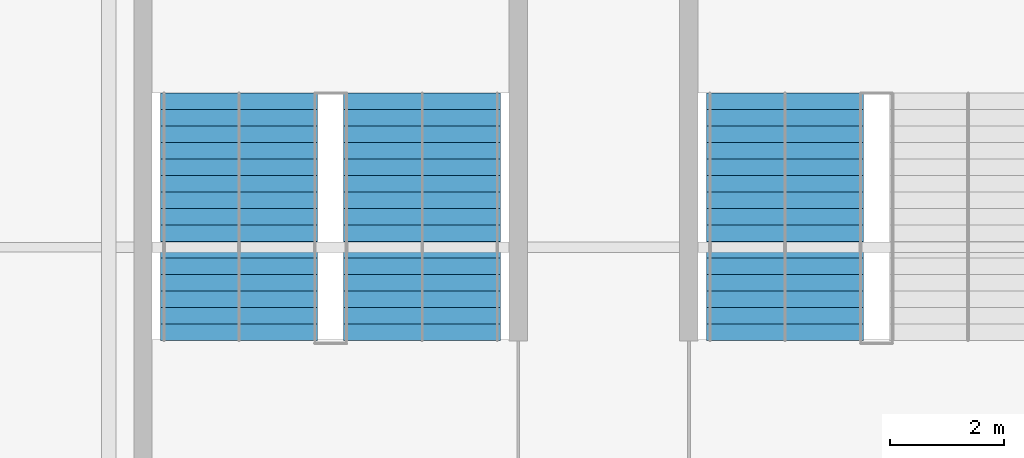
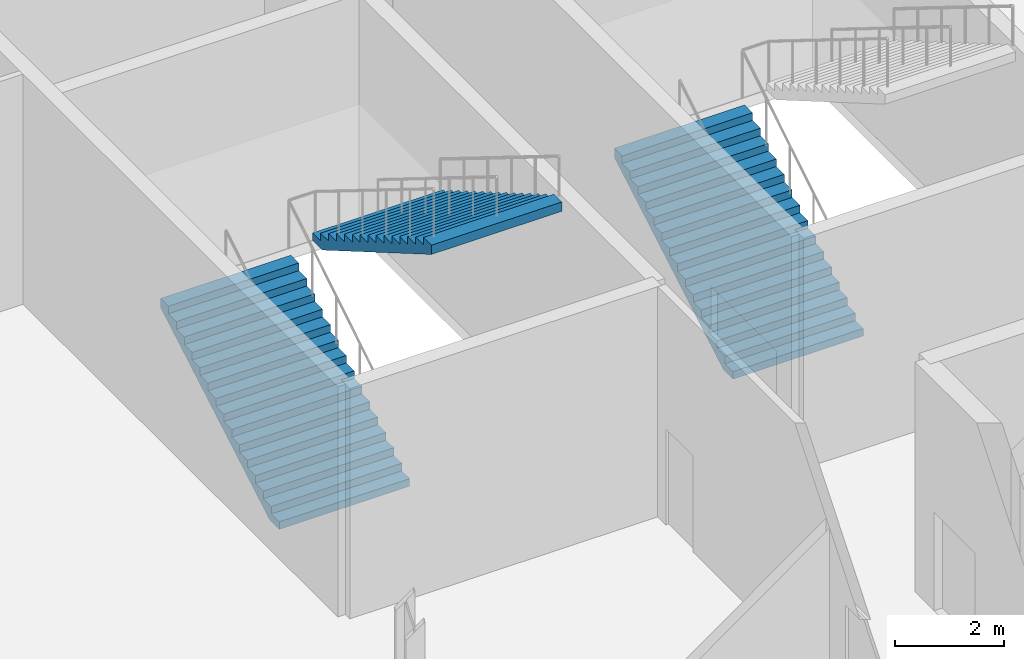
# One storey, part 91 of 111: 3 stair flights, 2 elements without a shape of their own.
"""IFC4 building model written with IfcOpenShell, lengths in metres."""

from ifc_helpers import new_model, si_unit, direction, frame, origin, place, context, subcontext, project, spatial, polygons, material, type_object, element, aggregate, save


model = new_model("IFC4")

# Units and contexts
model_context = context("Model", 3, precision=1e-05, world=origin(), true_north=direction((0.0, 1.0)))
body_context = subcontext(model_context, "Body", "Model", "MODEL_VIEW")
ifc_project = project(units=[si_unit("LENGTHUNIT", "METRE"), si_unit("AREAUNIT", "SQUARE_METRE"), si_unit("VOLUMEUNIT", "CUBIC_METRE"), si_unit("PLANEANGLEUNIT", "RADIAN"), si_unit("MASSUNIT", "GRAM", prefix="KILO")], contexts=[model_context])

# Site, building, storey
site_placement = place(None, origin())
site = spatial("IfcSite", under=ifc_project, at=site_placement, CompositionType="ELEMENT")
building_placement = place(site_placement, origin())
building = spatial("IfcBuilding", under=site, at=building_placement, Name="Kisiwana Market Hall", CompositionType="ELEMENT")
storey_placement = place(building_placement, frame((0.0, 0.0, 11.39990234375)))
storey = spatial("IfcBuildingStorey", under=building, at=storey_placement, Name="L02", CompositionType="ELEMENT", Elevation=11.39990234375)

# Stair, stair flight
ifc_material_1 = material(Name="Concrete C32/40", Category="concrete")
stair_type = type_object("IfcStairType", Name="ST-ESC-5400", PredefinedType="TWO_STRAIGHT_RUN_STAIR", material=ifc_material_1)
stair_1_placement = place(storey_placement, origin())
stair_1 = element("IfcStair", 1, at=stair_1_placement, inside=storey, type_object=stair_type, Name="Escape stair ST-E3-L02", PredefinedType="TWO_STRAIGHT_RUN_STAIR")
ifc_material_2 = material(Name="Concrete C32/40", Category="concrete")
stair_flight_type = type_object("IfcStairFlightType", Name="SF-ESC-5400", PredefinedType="STRAIGHT", material=ifc_material_2)
stair_flight_1_placement = place(storey_placement, frame((182.889892578125, 42.360107421875, 0.0), z_axis=(0.0, 0.0, 1.0), x_axis=(0.0, 1.0, 0.0)))
stair_flight_1 = element("IfcStairFlight", 2, at=stair_flight_1_placement, type_object=stair_flight_type, Name="ST-E3-L02 flight 1", NumberOfRisers=16, NumberOfTreads=15, PredefinedType="STRAIGHT", RiserHeight=0.16875, TreadLength=0.29, context=body_context, shape_type="Tessellation", body=[
    polygons([(0.0, -1.380127, 0.0), (0.0, -0.690125, 0.0), (0.0, -0.000122, 0.0), (0.0, 0.68988, 0.0), (0.0, 1.379883, 0.0), (0.0, -1.380127, 0.168701), (0.0, -0.690125, 0.168701), (0.0, -0.000122, 0.168701), (0.0, 0.68988, 0.168701), (0.0, 1.379883, 0.168701), (0.290039, -1.380127, 0.168701), (0.290039, -0.690125, 0.168701), (0.290039, -0.000122, 0.168701), (0.290039, 0.68988, 0.168701), (0.290039, 1.379883, 0.168701), (0.290039, -1.380127, 0.337402), (0.290039, -0.690125, 0.337402), (0.290039, -0.000122, 0.337402), (0.290039, 0.68988, 0.337402), (0.290039, 1.379883, 0.337402), (0.580078, -1.380127, 0.337402), (0.580078, -0.690125, 0.337402), (0.580078, -0.000122, 0.337402), (0.580078, 0.68988, 0.337402), (0.580078, 1.379883, 0.337402), (0.580078, -1.380127, 0.506348), (0.580078, -0.690125, 0.506348), (0.580078, -0.000122, 0.506348), (0.580078, 0.68988, 0.506348), (0.580078, 1.379883, 0.506348), (0.870117, -1.380127, 0.506348), (0.870117, -0.690125, 0.506348), (0.870117, -0.000122, 0.506348), (0.870117, 0.68988, 0.506348), (0.870117, 1.379883, 0.506348), (0.870117, -1.380127, 0.675049), (0.870117, -0.690125, 0.675049), (0.870117, -0.000122, 0.675049), (0.870117, 0.68988, 0.675049), (0.870117, 1.379883, 0.675049), (1.159912, -1.380127, 0.675049), (1.159912, -0.690125, 0.675049), (1.159912, -0.000122, 0.675049), (1.159912, 0.68988, 0.675049), (1.159912, 1.379883, 0.675049), (1.159912, -1.380127, 0.84375), (1.159912, -0.690125, 0.84375), (1.159912, -0.000122, 0.84375), (1.159912, 0.68988, 0.84375), (1.159912, 1.379883, 0.84375), (1.449951, -1.380127, 0.84375), (1.449951, -0.690125, 0.84375), (1.449951, -0.000122, 0.84375), (1.449951, 0.68988, 0.84375), (1.449951, 1.379883, 0.84375), (1.449951, -1.380127, 1.012451), (1.449951, -0.690125, 1.012451), (1.449951, -0.000122, 1.012451), (1.449951, 0.68988, 1.012451), (1.449951, 1.379883, 1.012451), (1.73999, -1.380127, 1.012451), (1.73999, -0.690125, 1.012451), (1.73999, -0.000122, 1.012451), (1.73999, 0.68988, 1.012451), (1.73999, 1.379883, 1.012451), (1.73999, -1.380127, 1.181152), (1.73999, -0.690125, 1.181152), (1.73999, -0.000122, 1.181152), (1.73999, 0.68988, 1.181152), (1.73999, 1.379883, 1.181152), (2.030029, -1.380127, 1.181152), (2.030029, -0.690125, 1.181152), (2.030029, -0.000122, 1.181152), (2.030029, 0.68988, 1.181152), (2.030029, 1.379883, 1.181152), (2.030029, -1.380127, 1.350098), (2.030029, -0.690125, 1.350098), (2.030029, -0.000122, 1.350098), (2.030029, 0.68988, 1.350098), (2.030029, 1.379883, 1.350098), (2.320068, -1.380127, 1.350098), (2.320068, -0.690125, 1.350098), (2.320068, -0.000122, 1.350098), (2.320068, 0.68988, 1.350098), (2.320068, 1.379883, 1.350098), (2.320068, -1.380127, 1.518799), (2.320068, -0.690125, 1.518799), (2.320068, -0.000122, 1.518799), (2.320068, 0.68988, 1.518799), (2.320068, 1.379883, 1.518799), (2.610107, -1.380127, 1.518799), (2.610107, -0.690125, 1.518799), (2.610107, -0.000122, 1.518799), (2.610107, 0.68988, 1.518799), (2.610107, 1.379883, 1.518799), (2.610107, -1.380127, 1.6875), (2.610107, -0.690125, 1.6875), (2.610107, -0.000122, 1.6875), (2.610107, 0.68988, 1.6875), (2.610107, 1.379883, 1.6875), (2.899902, -1.380127, 1.6875), (2.899902, -0.690125, 1.6875), (2.899902, -0.000122, 1.6875), (2.899902, 0.68988, 1.6875), (2.899902, 1.379883, 1.6875), (2.899902, -1.380127, 1.856201), (2.899902, -0.690125, 1.856201), (2.899902, -0.000122, 1.856201), (2.899902, 0.68988, 1.856201), (2.899902, 1.379883, 1.856201), (3.189941, -1.380127, 1.856201), (3.189941, -0.690125, 1.856201), (3.189941, -0.000122, 1.856201), (3.189941, 0.68988, 1.856201), (3.189941, 1.379883, 1.856201), (3.189941, -1.380127, 2.024902), (3.189941, -0.690125, 2.024902), (3.189941, -0.000122, 2.024902), (3.189941, 0.68988, 2.024902), (3.189941, 1.379883, 2.024902), (3.47998, -1.380127, 2.024902), (3.47998, -0.690125, 2.024902), (3.47998, -0.000122, 2.024902), (3.47998, 0.68988, 2.024902), (3.47998, 1.379883, 2.024902), (3.47998, -1.380127, 2.193848), (3.47998, -0.690125, 2.193848), (3.47998, -0.000122, 2.193848), (3.47998, 0.68988, 2.193848), (3.47998, 1.379883, 2.193848), (3.77002, -1.380127, 2.193848), (3.77002, -0.690125, 2.193848), (3.77002, -0.000122, 2.193848), (3.77002, 0.68988, 2.193848), (3.77002, 1.379883, 2.193848), (3.77002, -1.380127, 2.362549), (3.77002, -0.690125, 2.362549), (3.77002, -0.000122, 2.362549), (3.77002, 0.68988, 2.362549), (3.77002, 1.379883, 2.362549), (4.060059, -1.380127, 2.362549), (4.060059, -0.690125, 2.362549), (4.060059, -0.000122, 2.362549), (4.060059, 0.68988, 2.362549), (4.060059, 1.379883, 2.362549), (4.060059, -1.380127, 2.53125), (4.060059, -0.690125, 2.53125), (4.060059, -0.000122, 2.53125), (4.060059, 0.68988, 2.53125), (4.060059, 1.379883, 2.53125), (4.350098, -1.380127, 2.53125), (4.350098, -0.690125, 2.53125), (4.350098, -0.000122, 2.53125), (4.350098, 0.68988, 2.53125), (4.350098, 1.379883, 2.53125), (4.350098, -1.380127, 2.322998), (4.350098, -0.690125, 2.322998), (4.350098, -0.000122, 2.322998), (4.350098, 0.68988, 2.322998), (4.350098, 1.379883, 2.322998), (0.357666, -1.380127, 0.0), (0.357666, -0.690125, 0.0), (0.357666, -0.000122, 0.0), (0.357666, 0.68988, 0.0), (0.357666, 1.379883, 0.0)], [[[1, 6, 7, 2]], [[2, 7, 8, 3]], [[3, 8, 9, 4]], [[4, 9, 10, 5]], [[6, 11, 12, 7]], [[7, 12, 13, 8]], [[8, 13, 14, 9]], [[9, 14, 15, 10]], [[11, 16, 17, 12]], [[12, 17, 18, 13]], [[13, 18, 19, 14]], [[14, 19, 20, 15]], [[16, 21, 22, 17]], [[17, 22, 23, 18]], [[18, 23, 24, 19]], [[19, 24, 25, 20]], [[21, 26, 27, 22]], [[22, 27, 28, 23]], [[23, 28, 29, 24]], [[24, 29, 30, 25]], [[26, 31, 32, 27]], [[27, 32, 33, 28]], [[28, 33, 34, 29]], [[29, 34, 35, 30]], [[31, 36, 37, 32]], [[32, 37, 38, 33]], [[33, 38, 39, 34]], [[34, 39, 40, 35]], [[36, 41, 42, 37]], [[37, 42, 43, 38]], [[38, 43, 44, 39]], [[39, 44, 45, 40]], [[41, 46, 47, 42]], [[42, 47, 48, 43]], [[43, 48, 49, 44]], [[44, 49, 50, 45]], [[46, 51, 52, 47]], [[47, 52, 53, 48]], [[48, 53, 54, 49]], [[49, 54, 55, 50]], [[51, 56, 57, 52]], [[52, 57, 58, 53]], [[53, 58, 59, 54]], [[54, 59, 60, 55]], [[56, 61, 62, 57]], [[57, 62, 63, 58]], [[58, 63, 64, 59]], [[59, 64, 65, 60]], [[61, 66, 67, 62]], [[62, 67, 68, 63]], [[63, 68, 69, 64]], [[64, 69, 70, 65]], [[66, 71, 72, 67]], [[67, 72, 73, 68]], [[68, 73, 74, 69]], [[69, 74, 75, 70]], [[71, 76, 77, 72]], [[72, 77, 78, 73]], [[73, 78, 79, 74]], [[74, 79, 80, 75]], [[76, 81, 82, 77]], [[77, 82, 83, 78]], [[78, 83, 84, 79]], [[79, 84, 85, 80]], [[81, 86, 87, 82]], [[82, 87, 88, 83]], [[83, 88, 89, 84]], [[84, 89, 90, 85]], [[86, 91, 92, 87]], [[87, 92, 93, 88]], [[88, 93, 94, 89]], [[89, 94, 95, 90]], [[91, 96, 97, 92]], [[92, 97, 98, 93]], [[93, 98, 99, 94]], [[94, 99, 100, 95]], [[96, 101, 102, 97]], [[97, 102, 103, 98]], [[98, 103, 104, 99]], [[99, 104, 105, 100]], [[101, 106, 107, 102]], [[102, 107, 108, 103]], [[103, 108, 109, 104]], [[104, 109, 110, 105]], [[106, 111, 112, 107]], [[107, 112, 113, 108]], [[108, 113, 114, 109]], [[109, 114, 115, 110]], [[111, 116, 117, 112]], [[112, 117, 118, 113]], [[113, 118, 119, 114]], [[114, 119, 120, 115]], [[116, 121, 122, 117]], [[117, 122, 123, 118]], [[118, 123, 124, 119]], [[119, 124, 125, 120]], [[121, 126, 127, 122]], [[122, 127, 128, 123]], [[123, 128, 129, 124]], [[124, 129, 130, 125]], [[126, 131, 132, 127]], [[127, 132, 133, 128]], [[128, 133, 134, 129]], [[129, 134, 135, 130]], [[131, 136, 137, 132]], [[132, 137, 138, 133]], [[133, 138, 139, 134]], [[134, 139, 140, 135]], [[136, 141, 142, 137]], [[137, 142, 143, 138]], [[138, 143, 144, 139]], [[139, 144, 145, 140]], [[141, 146, 147, 142]], [[142, 147, 148, 143]], [[143, 148, 149, 144]], [[144, 149, 150, 145]], [[146, 151, 152, 147]], [[147, 152, 153, 148]], [[148, 153, 154, 149]], [[149, 154, 155, 150]], [[151, 156, 157, 152]], [[152, 157, 158, 153]], [[153, 158, 159, 154]], [[154, 159, 160, 155]], [[156, 161, 162, 157]], [[157, 162, 163, 158]], [[158, 163, 164, 159]], [[159, 164, 165, 160]], [[161, 1, 2, 162]], [[162, 2, 3, 163]], [[163, 3, 4, 164]], [[164, 4, 5, 165]], [[161, 156, 151, 146, 141, 136, 131, 126, 121, 116, 111, 106, 101, 96, 91, 86, 81, 76, 71, 66, 61, 56, 51, 46, 41, 36, 31, 26, 21, 16, 11, 6, 1]], [[5, 10, 15, 20, 25, 30, 35, 40, 45, 50, 55, 60, 65, 70, 75, 80, 85, 90, 95, 100, 105, 110, 115, 120, 125, 130, 135, 140, 145, 150, 155, 160, 165]]], closed=True),
])
aggregate(stair_1, [stair_flight_1])

# Stair, stair flights
stair_2_placement = place(storey_placement, origin())
stair_2 = element("IfcStair", 3, at=stair_2_placement, inside=storey, type_object=stair_type, Name="Escape stair ST-E7-L02", PredefinedType="TWO_STRAIGHT_RUN_STAIR")
stair_flight_2_placement = place(storey_placement, frame((173.2900390625, 42.360107421875, 0.0), z_axis=(0.0, 0.0, 1.0), x_axis=(0.0, 1.0, 0.0)))
stair_flight_2 = element("IfcStairFlight", 4, at=stair_flight_2_placement, type_object=stair_flight_type, Name="ST-E7-L02 flight 1", NumberOfRisers=16, NumberOfTreads=15, PredefinedType="STRAIGHT", RiserHeight=0.16875, TreadLength=0.29, context=body_context, shape_type="Tessellation", body=[
    polygons([(0.0, -1.380127, 0.0), (0.0, -0.690125, 0.0), (0.0, -0.000122, 0.0), (0.0, 0.68988, 0.0), (0.0, 1.379883, 0.0), (0.0, -1.380127, 0.168701), (0.0, -0.690125, 0.168701), (0.0, -0.000122, 0.168701), (0.0, 0.68988, 0.168701), (0.0, 1.379883, 0.168701), (0.290039, -1.380127, 0.168701), (0.290039, -0.690125, 0.168701), (0.290039, -0.000122, 0.168701), (0.290039, 0.68988, 0.168701), (0.290039, 1.379883, 0.168701), (0.290039, -1.380127, 0.337402), (0.290039, -0.690125, 0.337402), (0.290039, -0.000122, 0.337402), (0.290039, 0.68988, 0.337402), (0.290039, 1.379883, 0.337402), (0.580078, -1.380127, 0.337402), (0.580078, -0.690125, 0.337402), (0.580078, -0.000122, 0.337402), (0.580078, 0.68988, 0.337402), (0.580078, 1.379883, 0.337402), (0.580078, -1.380127, 0.506348), (0.580078, -0.690125, 0.506348), (0.580078, -0.000122, 0.506348), (0.580078, 0.68988, 0.506348), (0.580078, 1.379883, 0.506348), (0.870117, -1.380127, 0.506348), (0.870117, -0.690125, 0.506348), (0.870117, -0.000122, 0.506348), (0.870117, 0.68988, 0.506348), (0.870117, 1.379883, 0.506348), (0.870117, -1.380127, 0.675049), (0.870117, -0.690125, 0.675049), (0.870117, -0.000122, 0.675049), (0.870117, 0.68988, 0.675049), (0.870117, 1.379883, 0.675049), (1.159912, -1.380127, 0.675049), (1.159912, -0.690125, 0.675049), (1.159912, -0.000122, 0.675049), (1.159912, 0.68988, 0.675049), (1.159912, 1.379883, 0.675049), (1.159912, -1.380127, 0.84375), (1.159912, -0.690125, 0.84375), (1.159912, -0.000122, 0.84375), (1.159912, 0.68988, 0.84375), (1.159912, 1.379883, 0.84375), (1.449951, -1.380127, 0.84375), (1.449951, -0.690125, 0.84375), (1.449951, -0.000122, 0.84375), (1.449951, 0.68988, 0.84375), (1.449951, 1.379883, 0.84375), (1.449951, -1.380127, 1.012451), (1.449951, -0.690125, 1.012451), (1.449951, -0.000122, 1.012451), (1.449951, 0.68988, 1.012451), (1.449951, 1.379883, 1.012451), (1.73999, -1.380127, 1.012451), (1.73999, -0.690125, 1.012451), (1.73999, -0.000122, 1.012451), (1.73999, 0.68988, 1.012451), (1.73999, 1.379883, 1.012451), (1.73999, -1.380127, 1.181152), (1.73999, -0.690125, 1.181152), (1.73999, -0.000122, 1.181152), (1.73999, 0.68988, 1.181152), (1.73999, 1.379883, 1.181152), (2.030029, -1.380127, 1.181152), (2.030029, -0.690125, 1.181152), (2.030029, -0.000122, 1.181152), (2.030029, 0.68988, 1.181152), (2.030029, 1.379883, 1.181152), (2.030029, -1.380127, 1.350098), (2.030029, -0.690125, 1.350098), (2.030029, -0.000122, 1.350098), (2.030029, 0.68988, 1.350098), (2.030029, 1.379883, 1.350098), (2.320068, -1.380127, 1.350098), (2.320068, -0.690125, 1.350098), (2.320068, -0.000122, 1.350098), (2.320068, 0.68988, 1.350098), (2.320068, 1.379883, 1.350098), (2.320068, -1.380127, 1.518799), (2.320068, -0.690125, 1.518799), (2.320068, -0.000122, 1.518799), (2.320068, 0.68988, 1.518799), (2.320068, 1.379883, 1.518799), (2.610107, -1.380127, 1.518799), (2.610107, -0.690125, 1.518799), (2.610107, -0.000122, 1.518799), (2.610107, 0.68988, 1.518799), (2.610107, 1.379883, 1.518799), (2.610107, -1.380127, 1.6875), (2.610107, -0.690125, 1.6875), (2.610107, -0.000122, 1.6875), (2.610107, 0.68988, 1.6875), (2.610107, 1.379883, 1.6875), (2.899902, -1.380127, 1.6875), (2.899902, -0.690125, 1.6875), (2.899902, -0.000122, 1.6875), (2.899902, 0.68988, 1.6875), (2.899902, 1.379883, 1.6875), (2.899902, -1.380127, 1.856201), (2.899902, -0.690125, 1.856201), (2.899902, -0.000122, 1.856201), (2.899902, 0.68988, 1.856201), (2.899902, 1.379883, 1.856201), (3.189941, -1.380127, 1.856201), (3.189941, -0.690125, 1.856201), (3.189941, -0.000122, 1.856201), (3.189941, 0.68988, 1.856201), (3.189941, 1.379883, 1.856201), (3.189941, -1.380127, 2.024902), (3.189941, -0.690125, 2.024902), (3.189941, -0.000122, 2.024902), (3.189941, 0.68988, 2.024902), (3.189941, 1.379883, 2.024902), (3.47998, -1.380127, 2.024902), (3.47998, -0.690125, 2.024902), (3.47998, -0.000122, 2.024902), (3.47998, 0.68988, 2.024902), (3.47998, 1.379883, 2.024902), (3.47998, -1.380127, 2.193848), (3.47998, -0.690125, 2.193848), (3.47998, -0.000122, 2.193848), (3.47998, 0.68988, 2.193848), (3.47998, 1.379883, 2.193848), (3.77002, -1.380127, 2.193848), (3.77002, -0.690125, 2.193848), (3.77002, -0.000122, 2.193848), (3.77002, 0.68988, 2.193848), (3.77002, 1.379883, 2.193848), (3.77002, -1.380127, 2.362549), (3.77002, -0.690125, 2.362549), (3.77002, -0.000122, 2.362549), (3.77002, 0.68988, 2.362549), (3.77002, 1.379883, 2.362549), (4.060059, -1.380127, 2.362549), (4.060059, -0.690125, 2.362549), (4.060059, -0.000122, 2.362549), (4.060059, 0.68988, 2.362549), (4.060059, 1.379883, 2.362549), (4.060059, -1.380127, 2.53125), (4.060059, -0.690125, 2.53125), (4.060059, -0.000122, 2.53125), (4.060059, 0.68988, 2.53125), (4.060059, 1.379883, 2.53125), (4.350098, -1.380127, 2.53125), (4.350098, -0.690125, 2.53125), (4.350098, -0.000122, 2.53125), (4.350098, 0.68988, 2.53125), (4.350098, 1.379883, 2.53125), (4.350098, -1.380127, 2.322998), (4.350098, -0.690125, 2.322998), (4.350098, -0.000122, 2.322998), (4.350098, 0.68988, 2.322998), (4.350098, 1.379883, 2.322998), (0.357666, -1.380127, 0.0), (0.357666, -0.690125, 0.0), (0.357666, -0.000122, 0.0), (0.357666, 0.68988, 0.0), (0.357666, 1.379883, 0.0)], [[[1, 6, 7, 2]], [[2, 7, 8, 3]], [[3, 8, 9, 4]], [[4, 9, 10, 5]], [[6, 11, 12, 7]], [[7, 12, 13, 8]], [[8, 13, 14, 9]], [[9, 14, 15, 10]], [[11, 16, 17, 12]], [[12, 17, 18, 13]], [[13, 18, 19, 14]], [[14, 19, 20, 15]], [[16, 21, 22, 17]], [[17, 22, 23, 18]], [[18, 23, 24, 19]], [[19, 24, 25, 20]], [[21, 26, 27, 22]], [[22, 27, 28, 23]], [[23, 28, 29, 24]], [[24, 29, 30, 25]], [[26, 31, 32, 27]], [[27, 32, 33, 28]], [[28, 33, 34, 29]], [[29, 34, 35, 30]], [[31, 36, 37, 32]], [[32, 37, 38, 33]], [[33, 38, 39, 34]], [[34, 39, 40, 35]], [[36, 41, 42, 37]], [[37, 42, 43, 38]], [[38, 43, 44, 39]], [[39, 44, 45, 40]], [[41, 46, 47, 42]], [[42, 47, 48, 43]], [[43, 48, 49, 44]], [[44, 49, 50, 45]], [[46, 51, 52, 47]], [[47, 52, 53, 48]], [[48, 53, 54, 49]], [[49, 54, 55, 50]], [[51, 56, 57, 52]], [[52, 57, 58, 53]], [[53, 58, 59, 54]], [[54, 59, 60, 55]], [[56, 61, 62, 57]], [[57, 62, 63, 58]], [[58, 63, 64, 59]], [[59, 64, 65, 60]], [[61, 66, 67, 62]], [[62, 67, 68, 63]], [[63, 68, 69, 64]], [[64, 69, 70, 65]], [[66, 71, 72, 67]], [[67, 72, 73, 68]], [[68, 73, 74, 69]], [[69, 74, 75, 70]], [[71, 76, 77, 72]], [[72, 77, 78, 73]], [[73, 78, 79, 74]], [[74, 79, 80, 75]], [[76, 81, 82, 77]], [[77, 82, 83, 78]], [[78, 83, 84, 79]], [[79, 84, 85, 80]], [[81, 86, 87, 82]], [[82, 87, 88, 83]], [[83, 88, 89, 84]], [[84, 89, 90, 85]], [[86, 91, 92, 87]], [[87, 92, 93, 88]], [[88, 93, 94, 89]], [[89, 94, 95, 90]], [[91, 96, 97, 92]], [[92, 97, 98, 93]], [[93, 98, 99, 94]], [[94, 99, 100, 95]], [[96, 101, 102, 97]], [[97, 102, 103, 98]], [[98, 103, 104, 99]], [[99, 104, 105, 100]], [[101, 106, 107, 102]], [[102, 107, 108, 103]], [[103, 108, 109, 104]], [[104, 109, 110, 105]], [[106, 111, 112, 107]], [[107, 112, 113, 108]], [[108, 113, 114, 109]], [[109, 114, 115, 110]], [[111, 116, 117, 112]], [[112, 117, 118, 113]], [[113, 118, 119, 114]], [[114, 119, 120, 115]], [[116, 121, 122, 117]], [[117, 122, 123, 118]], [[118, 123, 124, 119]], [[119, 124, 125, 120]], [[121, 126, 127, 122]], [[122, 127, 128, 123]], [[123, 128, 129, 124]], [[124, 129, 130, 125]], [[126, 131, 132, 127]], [[127, 132, 133, 128]], [[128, 133, 134, 129]], [[129, 134, 135, 130]], [[131, 136, 137, 132]], [[132, 137, 138, 133]], [[133, 138, 139, 134]], [[134, 139, 140, 135]], [[136, 141, 142, 137]], [[137, 142, 143, 138]], [[138, 143, 144, 139]], [[139, 144, 145, 140]], [[141, 146, 147, 142]], [[142, 147, 148, 143]], [[143, 148, 149, 144]], [[144, 149, 150, 145]], [[146, 151, 152, 147]], [[147, 152, 153, 148]], [[148, 153, 154, 149]], [[149, 154, 155, 150]], [[151, 156, 157, 152]], [[152, 157, 158, 153]], [[153, 158, 159, 154]], [[154, 159, 160, 155]], [[156, 161, 162, 157]], [[157, 162, 163, 158]], [[158, 163, 164, 159]], [[159, 164, 165, 160]], [[161, 1, 2, 162]], [[162, 2, 3, 163]], [[163, 3, 4, 164]], [[164, 4, 5, 165]], [[161, 156, 151, 146, 141, 136, 131, 126, 121, 116, 111, 106, 101, 96, 91, 86, 81, 76, 71, 66, 61, 56, 51, 46, 41, 36, 31, 26, 21, 16, 11, 6, 1]], [[5, 10, 15, 20, 25, 30, 35, 40, 45, 50, 55, 60, 65, 70, 75, 80, 85, 90, 95, 100, 105, 110, 115, 120, 125, 130, 135, 140, 145, 150, 155, 160, 165]]], closed=True),
])
stair_flight_3_placement = place(storey_placement, frame((176.510009765625, 46.7099609375, 2.7001953125), z_axis=(0.0, 0.0, 1.0), x_axis=(0.0, -1.0, 0.0)))
stair_flight_3 = element("IfcStairFlight", 5, at=stair_flight_3_placement, type_object=stair_flight_type, Name="ST-E7-L02 flight 2", NumberOfRisers=16, NumberOfTreads=15, PredefinedType="STRAIGHT", RiserHeight=0.16875, TreadLength=0.29, context=body_context, shape_type="Tessellation", body=[
    polygons([(0.0, -1.380127, 0.0), (0.0, -0.690125, 0.0), (0.0, -0.000122, 0.0), (0.0, 0.68988, 0.0), (0.0, 1.379883, 0.0), (0.0, -1.380127, 0.168701), (0.0, -0.690125, 0.168701), (0.0, -0.000122, 0.168701), (0.0, 0.68988, 0.168701), (0.0, 1.379883, 0.168701), (0.290039, -1.380127, 0.168701), (0.290039, -0.690125, 0.168701), (0.290039, -0.000122, 0.168701), (0.290039, 0.68988, 0.168701), (0.290039, 1.379883, 0.168701), (0.290039, -1.380127, 0.337402), (0.290039, -0.690125, 0.337402), (0.290039, -0.000122, 0.337402), (0.290039, 0.68988, 0.337402), (0.290039, 1.379883, 0.337402), (0.580078, -1.380127, 0.337402), (0.580078, -0.690125, 0.337402), (0.580078, -0.000122, 0.337402), (0.580078, 0.68988, 0.337402), (0.580078, 1.379883, 0.337402), (0.580078, -1.380127, 0.506348), (0.580078, -0.690125, 0.506348), (0.580078, -0.000122, 0.506348), (0.580078, 0.68988, 0.506348), (0.580078, 1.379883, 0.506348), (0.870117, -1.380127, 0.506348), (0.870117, -0.690125, 0.506348), (0.870117, -0.000122, 0.506348), (0.870117, 0.68988, 0.506348), (0.870117, 1.379883, 0.506348), (0.870117, -1.380127, 0.675049), (0.870117, -0.690125, 0.675049), (0.870117, -0.000122, 0.675049), (0.870117, 0.68988, 0.675049), (0.870117, 1.379883, 0.675049), (1.159912, -1.380127, 0.675049), (1.159912, -0.690125, 0.675049), (1.159912, -0.000122, 0.675049), (1.159912, 0.68988, 0.675049), (1.159912, 1.379883, 0.675049), (1.159912, -1.380127, 0.84375), (1.159912, -0.690125, 0.84375), (1.159912, -0.000122, 0.84375), (1.159912, 0.68988, 0.84375), (1.159912, 1.379883, 0.84375), (1.449951, -1.380127, 0.84375), (1.449951, -0.690125, 0.84375), (1.449951, -0.000122, 0.84375), (1.449951, 0.68988, 0.84375), (1.449951, 1.379883, 0.84375), (1.449951, -1.380127, 1.012451), (1.449951, -0.690125, 1.012451), (1.449951, -0.000122, 1.012451), (1.449951, 0.68988, 1.012451), (1.449951, 1.379883, 1.012451), (1.73999, -1.380127, 1.012451), (1.73999, -0.690125, 1.012451), (1.73999, -0.000122, 1.012451), (1.73999, 0.68988, 1.012451), (1.73999, 1.379883, 1.012451), (1.73999, -1.380127, 1.181152), (1.73999, -0.690125, 1.181152), (1.73999, -0.000122, 1.181152), (1.73999, 0.68988, 1.181152), (1.73999, 1.379883, 1.181152), (2.030029, -1.380127, 1.181152), (2.030029, -0.690125, 1.181152), (2.030029, -0.000122, 1.181152), (2.030029, 0.68988, 1.181152), (2.030029, 1.379883, 1.181152), (2.030029, -1.380127, 1.350098), (2.030029, -0.690125, 1.350098), (2.030029, -0.000122, 1.350098), (2.030029, 0.68988, 1.350098), (2.030029, 1.379883, 1.350098), (2.320068, -1.380127, 1.350098), (2.320068, -0.690125, 1.350098), (2.320068, -0.000122, 1.350098), (2.320068, 0.68988, 1.350098), (2.320068, 1.379883, 1.350098), (2.320068, -1.380127, 1.518799), (2.320068, -0.690125, 1.518799), (2.320068, -0.000122, 1.518799), (2.320068, 0.68988, 1.518799), (2.320068, 1.379883, 1.518799), (2.610107, -1.380127, 1.518799), (2.610107, -0.690125, 1.518799), (2.610107, -0.000122, 1.518799), (2.610107, 0.68988, 1.518799), (2.610107, 1.379883, 1.518799), (2.610107, -1.380127, 1.6875), (2.610107, -0.690125, 1.6875), (2.610107, -0.000122, 1.6875), (2.610107, 0.68988, 1.6875), (2.610107, 1.379883, 1.6875), (2.899902, -1.380127, 1.6875), (2.899902, -0.690125, 1.6875), (2.899902, -0.000122, 1.6875), (2.899902, 0.68988, 1.6875), (2.899902, 1.379883, 1.6875), (2.899902, -1.380127, 1.856201), (2.899902, -0.690125, 1.856201), (2.899902, -0.000122, 1.856201), (2.899902, 0.68988, 1.856201), (2.899902, 1.379883, 1.856201), (3.189941, -1.380127, 1.856201), (3.189941, -0.690125, 1.856201), (3.189941, -0.000122, 1.856201), (3.189941, 0.68988, 1.856201), (3.189941, 1.379883, 1.856201), (3.189941, -1.380127, 2.024902), (3.189941, -0.690125, 2.024902), (3.189941, -0.000122, 2.024902), (3.189941, 0.68988, 2.024902), (3.189941, 1.379883, 2.024902), (3.47998, -1.380127, 2.024902), (3.47998, -0.690125, 2.024902), (3.47998, -0.000122, 2.024902), (3.47998, 0.68988, 2.024902), (3.47998, 1.379883, 2.024902), (3.47998, -1.380127, 2.193848), (3.47998, -0.690125, 2.193848), (3.47998, -0.000122, 2.193848), (3.47998, 0.68988, 2.193848), (3.47998, 1.379883, 2.193848), (3.77002, -1.380127, 2.193848), (3.77002, -0.690125, 2.193848), (3.77002, -0.000122, 2.193848), (3.77002, 0.68988, 2.193848), (3.77002, 1.379883, 2.193848), (3.77002, -1.380127, 2.362549), (3.77002, -0.690125, 2.362549), (3.77002, -0.000122, 2.362549), (3.77002, 0.68988, 2.362549), (3.77002, 1.379883, 2.362549), (4.060059, -1.380127, 2.362549), (4.060059, -0.690125, 2.362549), (4.060059, -0.000122, 2.362549), (4.060059, 0.68988, 2.362549), (4.060059, 1.379883, 2.362549), (4.060059, -1.380127, 2.53125), (4.060059, -0.690125, 2.53125), (4.060059, -0.000122, 2.53125), (4.060059, 0.68988, 2.53125), (4.060059, 1.379883, 2.53125), (4.350098, -1.380127, 2.53125), (4.350098, -0.690125, 2.53125), (4.350098, -0.000122, 2.53125), (4.350098, 0.68988, 2.53125), (4.350098, 1.379883, 2.53125), (4.350098, -1.380127, 2.322998), (4.350098, -0.690125, 2.322998), (4.350098, -0.000122, 2.322998), (4.350098, 0.68988, 2.322998), (4.350098, 1.379883, 2.322998), (0.357666, -1.380127, 0.0), (0.357666, -0.690125, 0.0), (0.357666, -0.000122, 0.0), (0.357666, 0.68988, 0.0), (0.357666, 1.379883, 0.0)], [[[1, 6, 7, 2]], [[2, 7, 8, 3]], [[3, 8, 9, 4]], [[4, 9, 10, 5]], [[6, 11, 12, 7]], [[7, 12, 13, 8]], [[8, 13, 14, 9]], [[9, 14, 15, 10]], [[11, 16, 17, 12]], [[12, 17, 18, 13]], [[13, 18, 19, 14]], [[14, 19, 20, 15]], [[16, 21, 22, 17]], [[17, 22, 23, 18]], [[18, 23, 24, 19]], [[19, 24, 25, 20]], [[21, 26, 27, 22]], [[22, 27, 28, 23]], [[23, 28, 29, 24]], [[24, 29, 30, 25]], [[26, 31, 32, 27]], [[27, 32, 33, 28]], [[28, 33, 34, 29]], [[29, 34, 35, 30]], [[31, 36, 37, 32]], [[32, 37, 38, 33]], [[33, 38, 39, 34]], [[34, 39, 40, 35]], [[36, 41, 42, 37]], [[37, 42, 43, 38]], [[38, 43, 44, 39]], [[39, 44, 45, 40]], [[41, 46, 47, 42]], [[42, 47, 48, 43]], [[43, 48, 49, 44]], [[44, 49, 50, 45]], [[46, 51, 52, 47]], [[47, 52, 53, 48]], [[48, 53, 54, 49]], [[49, 54, 55, 50]], [[51, 56, 57, 52]], [[52, 57, 58, 53]], [[53, 58, 59, 54]], [[54, 59, 60, 55]], [[56, 61, 62, 57]], [[57, 62, 63, 58]], [[58, 63, 64, 59]], [[59, 64, 65, 60]], [[61, 66, 67, 62]], [[62, 67, 68, 63]], [[63, 68, 69, 64]], [[64, 69, 70, 65]], [[66, 71, 72, 67]], [[67, 72, 73, 68]], [[68, 73, 74, 69]], [[69, 74, 75, 70]], [[71, 76, 77, 72]], [[72, 77, 78, 73]], [[73, 78, 79, 74]], [[74, 79, 80, 75]], [[76, 81, 82, 77]], [[77, 82, 83, 78]], [[78, 83, 84, 79]], [[79, 84, 85, 80]], [[81, 86, 87, 82]], [[82, 87, 88, 83]], [[83, 88, 89, 84]], [[84, 89, 90, 85]], [[86, 91, 92, 87]], [[87, 92, 93, 88]], [[88, 93, 94, 89]], [[89, 94, 95, 90]], [[91, 96, 97, 92]], [[92, 97, 98, 93]], [[93, 98, 99, 94]], [[94, 99, 100, 95]], [[96, 101, 102, 97]], [[97, 102, 103, 98]], [[98, 103, 104, 99]], [[99, 104, 105, 100]], [[101, 106, 107, 102]], [[102, 107, 108, 103]], [[103, 108, 109, 104]], [[104, 109, 110, 105]], [[106, 111, 112, 107]], [[107, 112, 113, 108]], [[108, 113, 114, 109]], [[109, 114, 115, 110]], [[111, 116, 117, 112]], [[112, 117, 118, 113]], [[113, 118, 119, 114]], [[114, 119, 120, 115]], [[116, 121, 122, 117]], [[117, 122, 123, 118]], [[118, 123, 124, 119]], [[119, 124, 125, 120]], [[121, 126, 127, 122]], [[122, 127, 128, 123]], [[123, 128, 129, 124]], [[124, 129, 130, 125]], [[126, 131, 132, 127]], [[127, 132, 133, 128]], [[128, 133, 134, 129]], [[129, 134, 135, 130]], [[131, 136, 137, 132]], [[132, 137, 138, 133]], [[133, 138, 139, 134]], [[134, 139, 140, 135]], [[136, 141, 142, 137]], [[137, 142, 143, 138]], [[138, 143, 144, 139]], [[139, 144, 145, 140]], [[141, 146, 147, 142]], [[142, 147, 148, 143]], [[143, 148, 149, 144]], [[144, 149, 150, 145]], [[146, 151, 152, 147]], [[147, 152, 153, 148]], [[148, 153, 154, 149]], [[149, 154, 155, 150]], [[151, 156, 157, 152]], [[152, 157, 158, 153]], [[153, 158, 159, 154]], [[154, 159, 160, 155]], [[156, 161, 162, 157]], [[157, 162, 163, 158]], [[158, 163, 164, 159]], [[159, 164, 165, 160]], [[161, 1, 2, 162]], [[162, 2, 3, 163]], [[163, 3, 4, 164]], [[164, 4, 5, 165]], [[161, 156, 151, 146, 141, 136, 131, 126, 121, 116, 111, 106, 101, 96, 91, 86, 81, 76, 71, 66, 61, 56, 51, 46, 41, 36, 31, 26, 21, 16, 11, 6, 1]], [[5, 10, 15, 20, 25, 30, 35, 40, 45, 50, 55, 60, 65, 70, 75, 80, 85, 90, 95, 100, 105, 110, 115, 120, 125, 130, 135, 140, 145, 150, 155, 160, 165]]], closed=True),
])
aggregate(stair_2, [stair_flight_2, stair_flight_3])

save(model, "model.ifc")
